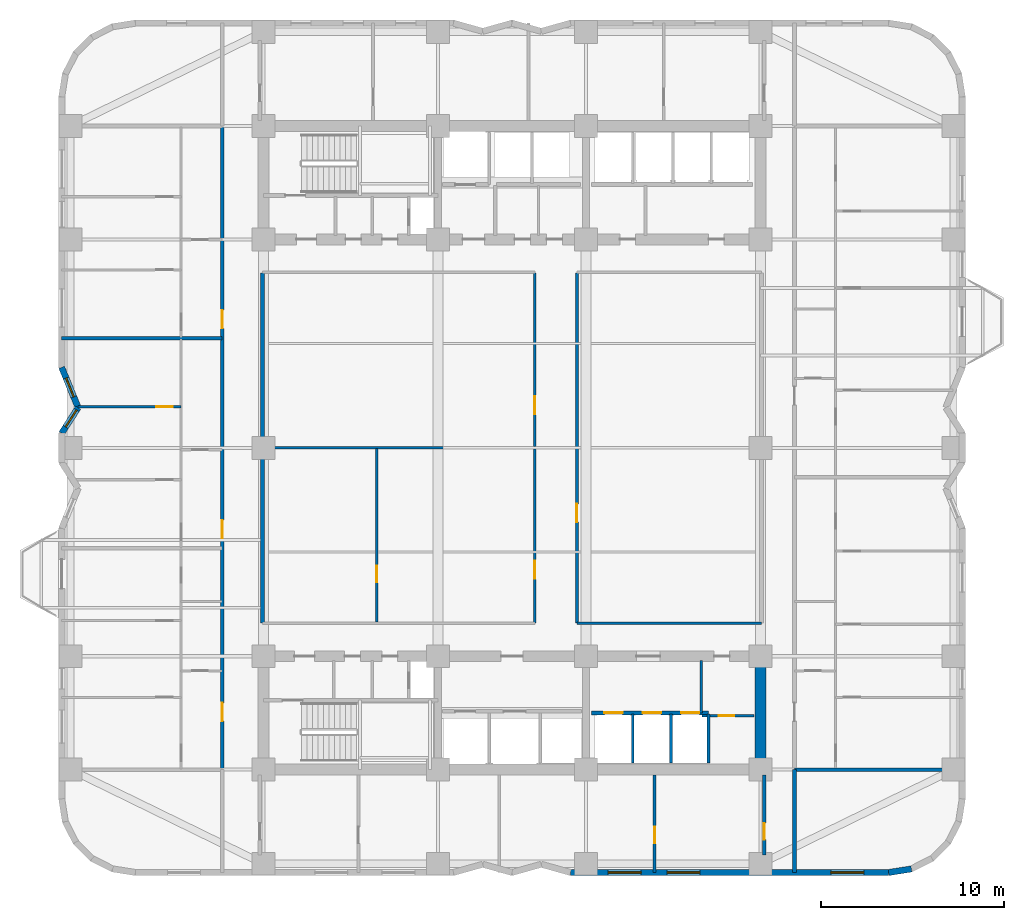
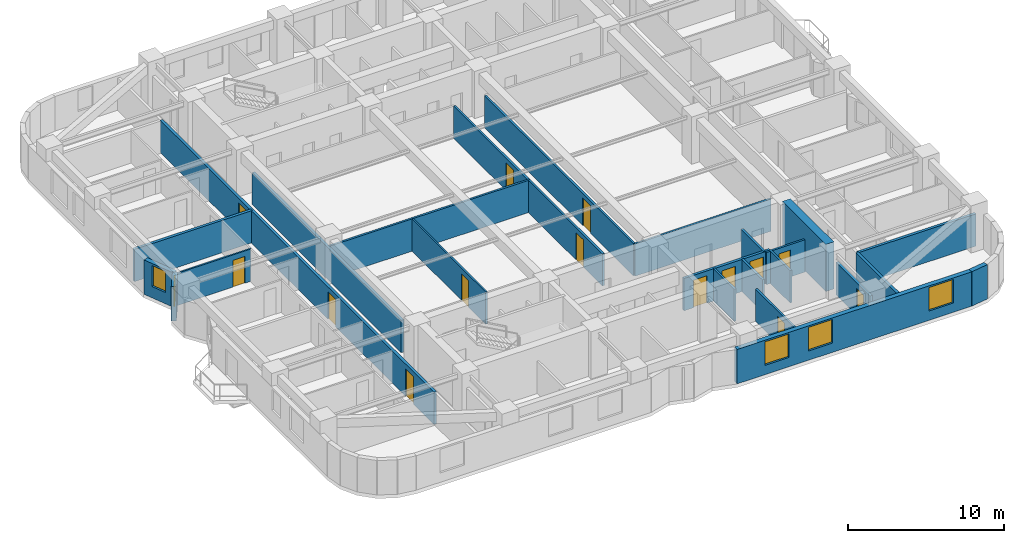
# One storey, part 4 of 10: 24 walls, 14 doors, 5 windows, 19 openings.
"""IFC4 building model written with IfcOpenShell, lengths in metres."""

from ifc_helpers import new_model, si_unit, direction, frame, frame_2d, origin, place, context, subcontext, project, spatial, rectangle, extrude, material, layer, layer_set, type_object, element, fill, save


model = new_model("IFC4")

# Units and contexts
model_context = context("Model", 3, precision=1e-05, world=origin(), true_north=direction((0.0, 1.0)))
body_context = subcontext(model_context, "Body", "Model", "MODEL_VIEW")
ifc_project = project(units=[si_unit("LENGTHUNIT", "METRE"), si_unit("AREAUNIT", "SQUARE_METRE"), si_unit("VOLUMEUNIT", "CUBIC_METRE"), si_unit("PLANEANGLEUNIT", "RADIAN"), si_unit("MASSUNIT", "GRAM", prefix="KILO")], contexts=[model_context])

# Site, building, storey
site_placement = place(None, origin())
site = spatial("IfcSite", under=ifc_project, at=site_placement, CompositionType="ELEMENT")
building_placement = place(site_placement, origin())
building = spatial("IfcBuilding", under=site, at=building_placement, Name="Svetorya Sky Lyceum", CompositionType="ELEMENT")
storey_placement = place(building_placement, frame((0.0, 0.0, 43.60009765625)))
storey = spatial("IfcBuildingStorey", under=building, at=storey_placement, Name="L10", CompositionType="ELEMENT", Elevation=43.60009765625)

# Wall
ifc_material_1 = material(Name="Concrete C60/75", Category="concrete")
ifc_layer_1 = layer(ifc_material_1, 0.60009765625)
ifc_layer_set_1 = layer_set([ifc_layer_1], Name="Concrete C60/75")
wall_type_1 = type_object("IfcWallType", Name="WL-CORE-600", PredefinedType="SHEAR", material=ifc_layer_set_1)
wall_1_placement = place(storey_placement, frame((52.800048828125, 10.89990234375, 0.0), z_axis=(0.0, 0.0, 1.0), x_axis=(0.0, 1.0, 0.0)))
element("IfcWall", 1, at=wall_1_placement, inside=storey, type_object=wall_type_1, Name="L10 SC East Core Shear Wall", PredefinedType="SHEAR", context=body_context, shape_type="SweptSolid", body=[
    extrude(rectangle(XDim=5.60009765625, YDim=0.60009765625, at=frame_2d((2.800048828125, 0.0))), origin(), (0.0, 0.0, 1.0), 3.699951171875),
])

# Wall, openings, windows
ifc_material_2 = material(Name="Putilovo limestone rainscreen on autoclaved cellular masonry", Category="masonry")
ifc_layer_2 = layer(ifc_material_2, 0.340087890625)
ifc_layer_set_2 = layer_set([ifc_layer_2], Name="Putilovo limestone rainscreen on autoclaved cellular masonry")
wall_type_2 = type_object("IfcWallType", Name="WL-EXT-340", PredefinedType="SOLIDWALL", material=ifc_layer_set_2)
wall_2_placement = place(storey_placement, frame((42.39990234375, 4.969970703125, 0.0), z_axis=(0.0, 0.0, 1.0), x_axis=(1.0, 0.0, 0.0)))
wall_2 = element("IfcWall", 2, at=wall_2_placement, inside=storey, type_object=wall_type_2, Name="L10 Limestone Exterior Wall 11M", PredefinedType="SOLIDWALL", context=body_context, shape_type="SweptSolid", body=[
    extrude(rectangle(XDim=17.400146484375, YDim=0.340087890625, at=frame_2d((8.7001953125, 0.0))), origin(), (0.0, 0.0, 1.0), 2.699951171875),
])
opening_1_placement = place(wall_2_placement, frame((2.06005859375, 0.0, 0.72998046875)))
opening_1 = element("IfcOpeningElement", 3, at=opening_1_placement, cuts=wall_2, Name="Opening W-R1", PredefinedType="OPENING", context=body_context, shape_type="SweptSolid", body=[
    extrude(rectangle(XDim=1.800048828125, YDim=1.85009765625, at=frame_2d((0.89990234375, 0.925048828125))), frame((0.0, 0.179931640625, 0.0), z_axis=(0.0, -1.0, 0.0), x_axis=(1.0, 0.0, 0.0)), (0.0, 0.0, 1.0), 0.360107421875),
])
opening_2_placement = place(wall_2_placement, frame((5.280029296875, 0.0, 0.72998046875)))
opening_2 = element("IfcOpeningElement", 4, at=opening_2_placement, cuts=wall_2, Name="Opening W-R1", PredefinedType="OPENING", context=body_context, shape_type="SweptSolid", body=[
    extrude(rectangle(XDim=1.800048828125, YDim=1.85009765625, at=frame_2d((0.89990234375, 0.925048828125))), frame((0.0, 0.179931640625, 0.0), z_axis=(0.0, -1.0, 0.0), x_axis=(1.0, 0.0, 0.0)), (0.0, 0.0, 1.0), 0.360107421875),
])
opening_3_placement = place(wall_2_placement, frame((14.239990234375, 0.0, 0.72998046875)))
opening_3 = element("IfcOpeningElement", 5, at=opening_3_placement, cuts=wall_2, Name="Opening W-R1", PredefinedType="OPENING", context=body_context, shape_type="SweptSolid", body=[
    extrude(rectangle(XDim=1.800048828125, YDim=1.85009765625, at=frame_2d((0.89990234375, 0.925048828125))), frame((0.0, 0.179931640625, 0.0), z_axis=(0.0, -1.0, 0.0), x_axis=(1.0, 0.0, 0.0)), (0.0, 0.0, 1.0), 0.360107421875),
])
ifc_material_3 = material(Name="Thermally broken aluminium frame with triple low-E glazing", Category="aluminium")
window_type_1 = type_object("IfcWindowType", Name="WN-RES-180", PartitioningType="DOUBLE_PANEL_VERTICAL", PredefinedType="WINDOW", material=ifc_material_3)
window_1_placement = place(opening_1_placement, origin())
window_1 = element("IfcWindow", 6, at=window_1_placement, inside=storey, type_object=window_type_1, Name="L10 Facade Window W-R1.11M.1", OverallHeight=1.85009765625, OverallWidth=1.800048828125, PartitioningType="SINGLE_PANEL", PredefinedType="WINDOW", context=body_context, shape_type="SweptSolid", body=[
    extrude(rectangle(XDim=1.800048828125, YDim=1.85009765625, at=frame_2d((0.89990234375, 0.925048828125))), frame((0.0, 0.030029296875, 0.0), z_axis=(0.0, -1.0, 0.0), x_axis=(1.0, 0.0, 0.0)), (0.0, 0.0, 1.0), 0.06005859375),
])
fill(opening_1, window_1)
window_2_placement = place(opening_2_placement, origin())
window_2 = element("IfcWindow", 7, at=window_2_placement, inside=storey, type_object=window_type_1, Name="L10 Facade Window W-R1.11M.2", OverallHeight=1.85009765625, OverallWidth=1.800048828125, PartitioningType="SINGLE_PANEL", PredefinedType="WINDOW", context=body_context, shape_type="SweptSolid", body=[
    extrude(rectangle(XDim=1.800048828125, YDim=1.85009765625, at=frame_2d((0.89990234375, 0.925048828125))), frame((0.0, 0.030029296875, 0.0), z_axis=(0.0, -1.0, 0.0), x_axis=(1.0, 0.0, 0.0)), (0.0, 0.0, 1.0), 0.06005859375),
])
fill(opening_2, window_2)
window_3_placement = place(opening_3_placement, origin())
window_3 = element("IfcWindow", 8, at=window_3_placement, inside=storey, type_object=window_type_1, Name="L10 Facade Window W-R1.11M.3", OverallHeight=1.85009765625, OverallWidth=1.800048828125, PartitioningType="SINGLE_PANEL", PredefinedType="WINDOW", context=body_context, shape_type="SweptSolid", body=[
    extrude(rectangle(XDim=1.800048828125, YDim=1.85009765625, at=frame_2d((0.89990234375, 0.925048828125))), frame((0.0, 0.030029296875, 0.0), z_axis=(0.0, -1.0, 0.0), x_axis=(1.0, 0.0, 0.0)), (0.0, 0.0, 1.0), 0.06005859375),
])
fill(opening_3, window_3)

# Wall
wall_3_placement = place(storey_placement, frame((59.800048828125, 4.969970703125, 0.0), z_axis=(0.0, 0.0, 1.0), x_axis=(0.987685918112, 0.15644975923, 0.0)))
element("IfcWall", 9, at=wall_3_placement, inside=storey, type_object=wall_type_2, Name="L10 Limestone Exterior Wall 12M", PredefinedType="SOLIDWALL", context=body_context, shape_type="SweptSolid", body=[
    extrude(rectangle(XDim=1.260986328125, YDim=0.340087890625, at=frame_2d((0.63037109375, 0.0))), origin(), (0.0, 0.0, 1.0), 2.699951171875),
])

# Wall, opening, window
wall_4_placement = place(storey_placement, frame((14.570068359375, 32.60009765625, 0.0), z_axis=(0.0, 0.0, 1.0), x_axis=(0.378568858991, -0.925573130013, 0.0)))
wall_4 = element("IfcWall", 10, at=wall_4_placement, inside=storey, type_object=wall_type_2, Name="L10 Limestone Exterior Wall 41M", PredefinedType="SOLIDWALL", context=body_context, shape_type="SweptSolid", body=[
    extrude(rectangle(XDim=2.377197265625, YDim=0.340087890625, at=frame_2d((1.1884765625, 0.0))), origin(), (0.0, 0.0, 1.0), 2.699951171875),
])
opening_4_placement = place(wall_4_placement, frame((0.638427734375, 0.0, 0.889892578125)))
opening_4 = element("IfcOpeningElement", 11, at=opening_4_placement, cuts=wall_4, Name="Opening W-R3", PredefinedType="OPENING", context=body_context, shape_type="SweptSolid", body=[
    extrude(rectangle(XDim=1.10009765625, YDim=1.64990234375, at=frame_2d((0.550048828125, 0.824951171875))), frame((0.0, 0.179931640625, 0.0), z_axis=(0.0, -1.0, 0.0), x_axis=(1.0, 0.0, 0.0)), (0.0, 0.0, 1.0), 0.360107421875),
])
window_type_2 = type_object("IfcWindowType", Name="WN-RES-110", PartitioningType="SINGLE_PANEL", PredefinedType="WINDOW", material=ifc_material_3)
window_4_placement = place(opening_4_placement, origin())
window_4 = element("IfcWindow", 12, at=window_4_placement, inside=storey, type_object=window_type_2, Name="L10 Facade Window W-R3.41M.1", OverallHeight=1.64990234375, OverallWidth=1.10009765625, PartitioningType="SINGLE_PANEL", PredefinedType="WINDOW", context=body_context, shape_type="SweptSolid", body=[
    extrude(rectangle(XDim=1.10009765625, YDim=1.64990234375, at=frame_2d((0.550048828125, 0.824951171875))), frame((0.0, 0.030029296875, 0.0), z_axis=(0.0, -1.0, 0.0), x_axis=(1.0, 0.0, 0.0)), (0.0, 0.0, 1.0), 0.06005859375),
])
fill(opening_4, window_4)

wall_5_placement = place(storey_placement, frame((15.469970703125, 30.39990234375, 0.0), z_axis=(0.0, 0.0, 1.0), x_axis=(-0.540742762169, -0.841188008214, 0.0)))
wall_5 = element("IfcWall", 13, at=wall_5_placement, inside=storey, type_object=wall_type_2, Name="L10 Limestone Exterior Wall 42M", PredefinedType="SOLIDWALL", context=body_context, shape_type="SweptSolid", body=[
    extrude(rectangle(XDim=1.664306640625, YDim=0.340087890625, at=frame_2d((0.83203125, 0.0))), origin(), (0.0, 0.0, 1.0), 2.699951171875),
])
opening_5_placement = place(wall_5_placement, frame((0.159912109375, 0.0, 0.889892578125)))
opening_5 = element("IfcOpeningElement", 14, at=opening_5_placement, cuts=wall_5, Name="Opening W-R3", PredefinedType="OPENING", context=body_context, shape_type="SweptSolid", body=[
    extrude(rectangle(XDim=1.10009765625, YDim=1.64990234375, at=frame_2d((0.550048828125, 0.824951171875))), frame((0.0, 0.179931640625, 0.0), z_axis=(0.0, -1.0, 0.0), x_axis=(1.0, 0.0, 0.0)), (0.0, 0.0, 1.0), 0.360107421875),
])
window_5_placement = place(opening_5_placement, origin())
window_5 = element("IfcWindow", 15, at=window_5_placement, inside=storey, type_object=window_type_2, Name="L10 Facade Window W-R3.42M.1", OverallHeight=1.64990234375, OverallWidth=1.10009765625, PartitioningType="SINGLE_PANEL", PredefinedType="WINDOW", context=body_context, shape_type="SweptSolid", body=[
    extrude(rectangle(XDim=1.10009765625, YDim=1.64990234375, at=frame_2d((0.550048828125, 0.824951171875))), frame((0.0, 0.030029296875, 0.0), z_axis=(0.0, -1.0, 0.0), x_axis=(1.0, 0.0, 0.0)), (0.0, 0.0, 1.0), 0.06005859375),
])
fill(opening_5, window_5)

# Wall, opening, door
ifc_material_4 = material(Name="Twin-stud galvanized framing with double fireboard", Category="gypsum")
ifc_layer_3 = layer(ifc_material_4, 0.1201171875)
ifc_layer_set_3 = layer_set([ifc_layer_3], Name="Twin-stud galvanized framing with double fireboard")
wall_type_3 = type_object("IfcWallType", Name="WL-PART-120", PredefinedType="PARTITIONING", material=ifc_layer_set_3)
wall_6_placement = place(storey_placement, frame((31.800048828125, 18.659912109375, 0.0), z_axis=(0.0, 0.0, 1.0), x_axis=(0.0, 1.0, 0.0)))
wall_6 = element("IfcWall", 16, at=wall_6_placement, inside=storey, type_object=wall_type_3, Name="L10 Interior Partition CEN-WV1", PredefinedType="PARTITIONING", context=body_context, shape_type="SweptSolid", body=[
    extrude(rectangle(XDim=9.489990234375, YDim=0.1201171875, at=frame_2d((4.7451171875, 0.0))), origin(), (0.0, 0.0, 1.0), 2.52978515625),
])
opening_6_placement = place(wall_6_placement, frame((2.199951171875, 0.0, 0.0)))
opening_6 = element("IfcOpeningElement", 17, at=opening_6_placement, cuts=wall_6, Name="Opening D-RM1", PredefinedType="OPENING", context=body_context, shape_type="SweptSolid", body=[
    extrude(rectangle(XDim=0.89990234375, YDim=2.10009765625, at=frame_2d((0.449951171875, 1.050048828125))), frame((0.0, 0.070068359375, 0.0), z_axis=(0.0, -1.0, 0.0), x_axis=(1.0, 0.0, 0.0)), (0.0, 0.0, 1.0), 0.14013671875),
])
ifc_material_5 = material(Name="Lacquered birch veneer internal door")
door_type_1 = type_object("IfcDoorType", Name="DR-INT-900", OperationType="SINGLE_SWING_LEFT", PredefinedType="DOOR", material=ifc_material_5)
door_1_placement = place(opening_6_placement, origin())
door_1 = element("IfcDoor", 18, at=door_1_placement, inside=storey, type_object=door_type_1, Name="L10 Quiet Study Door", OperationType="SINGLE_SWING_LEFT", OverallHeight=2.10009765625, OverallWidth=0.89990234375, PredefinedType="DOOR", context=body_context, shape_type="SweptSolid", body=[
    extrude(rectangle(XDim=0.89990234375, YDim=2.10009765625, at=frame_2d((0.449951171875, 1.050048828125))), frame((0.0, 0.02490234375, 0.0), z_axis=(0.0, -1.0, 0.0), x_axis=(1.0, 0.0, 0.0)), (0.0, 0.0, 1.0), 0.050048828125),
])
fill(opening_6, door_1)

wall_7_placement = place(storey_placement, frame((15.449462890625, 30.449951171875, 0.0), z_axis=(0.0, 0.0, 1.0), x_axis=(1.0, 0.0, 0.0)))
wall_7 = element("IfcWall", 19, at=wall_7_placement, inside=storey, type_object=wall_type_3, Name="L10 Interior Partition W2-WL2", PredefinedType="PARTITIONING", context=body_context, shape_type="SweptSolid", body=[
    extrude(rectangle(XDim=5.650634765625, YDim=0.1201171875, at=frame_2d((2.8251953125, 0.0))), origin(), (0.0, 0.0, 1.0), 2.52978515625),
])
opening_7_placement = place(wall_7_placement, frame((4.300537109375, 0.0, 0.0)))
opening_7 = element("IfcOpeningElement", 20, at=opening_7_placement, cuts=wall_7, Name="Opening D-RM1", PredefinedType="OPENING", context=body_context, shape_type="SweptSolid", body=[
    extrude(rectangle(XDim=0.89990234375, YDim=2.10009765625, at=frame_2d((0.449951171875, 1.050048828125))), frame((0.0, 0.070068359375, 0.0), z_axis=(0.0, -1.0, 0.0), x_axis=(1.0, 0.0, 0.0)), (0.0, 0.0, 1.0), 0.14013671875),
])
door_2_placement = place(opening_7_placement, origin())
door_2 = element("IfcDoor", 21, at=door_2_placement, inside=storey, type_object=door_type_1, Name="Apartment W2 Bedroom 2 Door", OperationType="SINGLE_SWING_LEFT", OverallHeight=2.10009765625, OverallWidth=0.89990234375, PredefinedType="DOOR", context=body_context, shape_type="SweptSolid", body=[
    extrude(rectangle(XDim=0.89990234375, YDim=2.10009765625, at=frame_2d((0.449951171875, 1.050048828125))), frame((0.0, 0.02490234375, 0.0), z_axis=(0.0, -1.0, 0.0), x_axis=(1.0, 0.0, 0.0)), (0.0, 0.0, 1.0), 0.050048828125),
])
fill(opening_7, door_2)

# Walls
ifc_material_6 = material(Name="Autoclaved cellular masonry blockwork with acoustic render", Category="masonry")
ifc_layer_4 = layer(ifc_material_6, 0.14990234375)
ifc_layer_set_4 = layer_set([ifc_layer_4], Name="Autoclaved cellular masonry blockwork with acoustic render")
wall_type_4 = type_object("IfcWallType", Name="WL-PART-150", PredefinedType="PARTITIONING", material=ifc_layer_set_4)
for number, where, z_axis, x_axis, name in (
    (22, (45.800048828125, 10.949951171875, 0.0), (0.0, 0.0, 1.0), (0.0, 1.0, 0.0), "L10 Interior Partition SC-PL-DIV1"),
    (23, (47.89990234375, 10.949951171875, 0.0), (0.0, 0.0, 1.0), (0.0, 1.0, 0.0), "L10 Interior Partition SC-PL-DIV2"),
    (24, (49.949951171875, 10.949951171875, 0.0), (0.0, 0.0, 1.0), (0.0, 1.0, 0.0), "L10 Interior Partition SC-PL-END"),
):
    element("IfcWall", number, at=place(storey_placement, frame(where, z_axis=z_axis, x_axis=x_axis)), inside=storey, type_object=wall_type_4, Name=name, PredefinedType="PARTITIONING", context=body_context, shape_type="SweptSolid", body=[
        extrude(rectangle(XDim=2.699951171875, YDim=0.14990234375, at=frame_2d((1.35009765625, 0.0))), origin(), (0.0, 0.0, 1.0), 2.52978515625),
    ])
wall_8_placement = place(storey_placement, frame((49.550048828125, 13.699951171875, 0.0), z_axis=(0.0, 0.0, 1.0), x_axis=(0.0, 1.0, 0.0)))
element("IfcWall", 25, at=wall_8_placement, inside=storey, type_object=wall_type_4, Name="L10 Interior Partition SC-AUX-V", PredefinedType="PARTITIONING", context=body_context, shape_type="SweptSolid", body=[
    extrude(rectangle(XDim=2.880126953125, YDim=0.14990234375, at=frame_2d((1.43994140625, 0.0))), origin(), (0.0, 0.0, 1.0), 2.52978515625),
])

# Wall, opening, door
wall_9_placement = place(storey_placement, frame((49.60009765625, 13.550048828125, 0.0), z_axis=(0.0, 0.0, 1.0), x_axis=(1.0, 0.0, 0.0)))
wall_9 = element("IfcWall", 26, at=wall_9_placement, inside=storey, type_object=wall_type_4, Name="L10 Interior Partition SC-AUX-H", PredefinedType="PARTITIONING", context=body_context, shape_type="SweptSolid", body=[
    extrude(rectangle(XDim=2.849853515625, YDim=0.14990234375, at=frame_2d((1.4248046875, 0.0))), origin(), (0.0, 0.0, 1.0), 2.52978515625),
])
opening_8_placement = place(wall_9_placement, frame((0.89990234375, 0.0, 0.0)))
opening_8 = element("IfcOpeningElement", 27, at=opening_8_placement, cuts=wall_9, Name="Opening D-CWC1", PredefinedType="OPENING", context=body_context, shape_type="SweptSolid", body=[
    extrude(rectangle(XDim=0.85009765625, YDim=2.10009765625, at=frame_2d((0.425048828125, 1.050048828125))), frame((0.0, 0.0849609375, 0.0), z_axis=(0.0, -1.0, 0.0), x_axis=(1.0, 0.0, 0.0)), (0.0, 0.0, 1.0), 0.169921875),
])
ifc_material_7 = material(Name="Fire-rated galvanized steel core service closet door", Category="steel")
door_type_2 = type_object("IfcDoorType", Name="DR-CWET-850", OperationType="SINGLE_SWING_LEFT", PredefinedType="DOOR", material=ifc_material_7)
door_3_placement = place(opening_8_placement, origin())
door_3 = element("IfcDoor", 28, at=door_3_placement, inside=storey, type_object=door_type_2, Name="L10 South Electrical Closet Door", OperationType="SINGLE_SWING_LEFT", OverallHeight=2.10009765625, OverallWidth=0.85009765625, PredefinedType="DOOR", context=body_context, shape_type="SweptSolid", body=[
    extrude(rectangle(XDim=0.85009765625, YDim=2.10009765625, at=frame_2d((0.425048828125, 1.050048828125))), frame((0.0, 0.02490234375, 0.0), z_axis=(0.0, -1.0, 0.0), x_axis=(1.0, 0.0, 0.0)), (0.0, 0.0, 1.0), 0.050048828125),
])
fill(opening_8, door_3)

# Walls
wall_10_placement = place(storey_placement, frame((42.75, 18.60009765625, 0.0), z_axis=(0.0, 0.0, 1.0), x_axis=(1.0, 0.0, 0.0)))
element("IfcWall", 29, at=wall_10_placement, inside=storey, type_object=wall_type_4, Name="L10 Interior Partition CS-MID-E", PredefinedType="PARTITIONING", context=body_context, shape_type="SweptSolid", body=[
    extrude(rectangle(XDim=10.10009765625, YDim=0.14990234375, at=frame_2d((5.050048828125, 0.0))), origin(), (0.0, 0.0, 1.0), 2.52978515625),
])
wall_11_placement = place(storey_placement, frame((25.60009765625, 28.199951171875, 0.0), z_axis=(0.0, 0.0, 1.0), x_axis=(1.0, 0.0, 0.0)))
element("IfcWall", 30, at=wall_11_placement, inside=storey, type_object=wall_type_4, Name="L10 Interior Partition CEN-HW", PredefinedType="PARTITIONING", context=body_context, shape_type="SweptSolid", body=[
    extrude(rectangle(XDim=14.869873046875, YDim=0.14990234375, at=frame_2d((7.43505859375, 0.0))), origin(), (0.0, 0.0, 1.0), 2.52978515625),
])

# Wall, openings, doors
wall_12_placement = place(storey_placement, frame((40.449951171875, 18.6298828125, 0.0), z_axis=(0.0, 0.0, 1.0), x_axis=(0.0, 1.0, 0.0)))
wall_12 = element("IfcWall", 31, at=wall_12_placement, inside=storey, type_object=wall_type_4, Name="L10 Interior Partition CEN-VW", PredefinedType="PARTITIONING", context=body_context, shape_type="SweptSolid", body=[
    extrude(rectangle(XDim=19.14013671875, YDim=0.14990234375, at=frame_2d((9.570068359375, 0.0))), origin(), (0.0, 0.0, 1.0), 2.52978515625),
])
opening_9_placement = place(wall_12_placement, frame((2.39990234375, 0.0, 0.0)))
opening_9 = element("IfcOpeningElement", 32, at=opening_9_placement, cuts=wall_12, Name="Opening D-RM2", PredefinedType="OPENING", context=body_context, shape_type="SweptSolid", body=[
    extrude(rectangle(XDim=1.0, YDim=2.14990234375, at=frame_2d((0.5, 1.074951171875))), frame((0.0, 0.0849609375, 0.0), z_axis=(0.0, -1.0, 0.0), x_axis=(1.0, 0.0, 0.0)), (0.0, 0.0, 1.0), 0.169921875),
])
opening_10_placement = place(wall_12_placement, frame((11.39990234375, 0.0, 0.0)))
opening_10 = element("IfcOpeningElement", 33, at=opening_10_placement, cuts=wall_12, Name="Opening D-RM2", PredefinedType="OPENING", context=body_context, shape_type="SweptSolid", body=[
    extrude(rectangle(XDim=1.0, YDim=2.14990234375, at=frame_2d((0.5, 1.074951171875))), frame((0.0, 0.0849609375, 0.0), z_axis=(0.0, -1.0, 0.0), x_axis=(1.0, 0.0, 0.0)), (0.0, 0.0, 1.0), 0.169921875),
])
ifc_material_8 = material(Name="Solid-core oak acoustic room door")
door_type_3 = type_object("IfcDoorType", Name="DR-INT-1000", OperationType="SINGLE_SWING_LEFT", PredefinedType="DOOR", material=ifc_material_8)
door_4_placement = place(opening_9_placement, origin())
door_4 = element("IfcDoor", 34, at=door_4_placement, inside=storey, type_object=door_type_3, Name="L10 Study Door", OperationType="SINGLE_SWING_LEFT", OverallHeight=2.14990234375, OverallWidth=1.0, PredefinedType="DOOR", context=body_context, shape_type="SweptSolid", body=[
    extrude(rectangle(XDim=1.0, YDim=2.14990234375, at=frame_2d((0.5, 1.074951171875))), frame((0.0, 0.02490234375, 0.0), z_axis=(0.0, -1.0, 0.0), x_axis=(1.0, 0.0, 0.0)), (0.0, 0.0, 1.0), 0.050048828125),
])
fill(opening_9, door_4)
door_5_placement = place(opening_10_placement, origin())
door_5 = element("IfcDoor", 35, at=door_5_placement, inside=storey, type_object=door_type_3, Name="L10 Focus Door", OperationType="SINGLE_SWING_RIGHT", OverallHeight=2.14990234375, OverallWidth=1.0, PredefinedType="DOOR", context=body_context, shape_type="SweptSolid", body=[
    extrude(rectangle(XDim=1.0, YDim=2.14990234375, at=frame_2d((0.5, 1.074951171875))), frame((0.0, 0.02490234375, 0.0), z_axis=(0.0, -1.0, 0.0), x_axis=(1.0, 0.0, 0.0)), (0.0, 0.0, 1.0), 0.050048828125),
])
fill(opening_10, door_5)

# Wall, opening, door
wall_13_placement = place(storey_placement, frame((42.75, 18.6298828125, 0.0), z_axis=(0.0, 0.0, 1.0), x_axis=(0.0, 1.0, 0.0)))
wall_13 = element("IfcWall", 36, at=wall_13_placement, inside=storey, type_object=wall_type_4, Name="L10 Interior Partition CEN-VE", PredefinedType="PARTITIONING", context=body_context, shape_type="SweptSolid", body=[
    extrude(rectangle(XDim=19.14013671875, YDim=0.14990234375, at=frame_2d((9.570068359375, 0.0))), origin(), (0.0, 0.0, 1.0), 2.52978515625),
])
opening_11_placement = place(wall_13_placement, frame((5.5, 0.0, 0.0)))
opening_11 = element("IfcOpeningElement", 37, at=opening_11_placement, cuts=wall_13, Name="Opening D-RM2", PredefinedType="OPENING", context=body_context, shape_type="SweptSolid", body=[
    extrude(rectangle(XDim=1.0, YDim=2.14990234375, at=frame_2d((0.5, 1.074951171875))), frame((0.0, 0.0849609375, 0.0), z_axis=(0.0, -1.0, 0.0), x_axis=(1.0, 0.0, 0.0)), (0.0, 0.0, 1.0), 0.169921875),
])
door_6_placement = place(opening_11_placement, origin())
door_6 = element("IfcDoor", 38, at=door_6_placement, inside=storey, type_object=door_type_3, Name="L10 East Hall Door", OperationType="SINGLE_SWING_RIGHT", OverallHeight=2.14990234375, OverallWidth=1.0, PredefinedType="DOOR", context=body_context, shape_type="SweptSolid", body=[
    extrude(rectangle(XDim=1.0, YDim=2.14990234375, at=frame_2d((0.5, 1.074951171875))), frame((0.0, 0.02490234375, 0.0), z_axis=(0.0, -1.0, 0.0), x_axis=(1.0, 0.0, 0.0)), (0.0, 0.0, 1.0), 0.050048828125),
])
fill(opening_11, door_6)

wall_14_placement = place(storey_placement, frame((47.0, 4.969970703125, 0.0), z_axis=(0.0, 0.0, 1.0), x_axis=(0.0, 1.0, 0.0)))
wall_14 = element("IfcWall", 39, at=wall_14_placement, inside=storey, type_object=wall_type_4, Name="L10 Interior Partition S4-D3", PredefinedType="PARTITIONING", context=body_context, shape_type="SweptSolid", body=[
    extrude(rectangle(XDim=5.330078125, YDim=0.14990234375, at=frame_2d((2.6650390625, 0.0))), origin(), (0.0, 0.0, 1.0), 2.52978515625),
])
opening_12_placement = place(wall_14_placement, frame((1.60009765625, 0.0, 0.0)))
opening_12 = element("IfcOpeningElement", 40, at=opening_12_placement, cuts=wall_14, Name="Opening D-RM1", PredefinedType="OPENING", context=body_context, shape_type="SweptSolid", body=[
    extrude(rectangle(XDim=0.89990234375, YDim=2.10009765625, at=frame_2d((0.449951171875, 1.050048828125))), frame((0.0, 0.0849609375, 0.0), z_axis=(0.0, -1.0, 0.0), x_axis=(1.0, 0.0, 0.0)), (0.0, 0.0, 1.0), 0.169921875),
])
door_7_placement = place(opening_12_placement, origin())
door_7 = element("IfcDoor", 41, at=door_7_placement, inside=storey, type_object=door_type_1, Name="L10 South Suite Door 3", OperationType="SINGLE_SWING_LEFT", OverallHeight=2.10009765625, OverallWidth=0.89990234375, PredefinedType="DOOR", context=body_context, shape_type="SweptSolid", body=[
    extrude(rectangle(XDim=0.89990234375, YDim=2.10009765625, at=frame_2d((0.449951171875, 1.050048828125))), frame((0.0, 0.02490234375, 0.0), z_axis=(0.0, -1.0, 0.0), x_axis=(1.0, 0.0, 0.0)), (0.0, 0.0, 1.0), 0.050048828125),
])
fill(opening_12, door_7)

# Wall, openings, doors
ifc_material_9 = material(Name="Autoclaved cellular masonry blockwork with gypsum plaster", Category="masonry")
ifc_layer_5 = layer(ifc_material_9, 0.199951171875)
ifc_layer_set_5 = layer_set([ifc_layer_5], Name="Autoclaved cellular masonry blockwork with gypsum plaster")
wall_type_5 = type_object("IfcWallType", Name="WL-PART-200", PredefinedType="PARTITIONING", material=ifc_layer_set_5)
wall_15_placement = place(storey_placement, frame((43.550048828125, 13.699951171875, 0.0), z_axis=(0.0, 0.0, 1.0), x_axis=(1.0, 0.0, 0.0)))
wall_15 = element("IfcWall", 42, at=wall_15_placement, inside=storey, type_object=wall_type_5, Name="L10 Interior Partition SC-PLW", PredefinedType="PARTITIONING", context=body_context, shape_type="SweptSolid", body=[
    extrude(rectangle(XDim=6.39990234375, YDim=0.199951171875, at=frame_2d((3.199951171875, 0.0))), origin(), (0.0, 0.0, 1.0), 2.52978515625),
])
opening_13_placement = place(wall_15_placement, frame((0.699951171875, 0.0, 0.0)))
opening_13 = element("IfcOpeningElement", 43, at=opening_13_placement, cuts=wall_15, Name="Opening LD-P1", PredefinedType="OPENING", context=body_context, shape_type="SweptSolid", body=[
    extrude(rectangle(XDim=1.0, YDim=2.14990234375, at=frame_2d((0.5, 1.074951171875))), frame((0.0, 0.10986328125, 0.0), z_axis=(0.0, -1.0, 0.0), x_axis=(1.0, 0.0, 0.0)), (0.0, 0.0, 1.0), 0.219970703125),
])
opening_14_placement = place(wall_15_placement, frame((2.800048828125, 0.0, 0.0)))
opening_14 = element("IfcOpeningElement", 44, at=opening_14_placement, cuts=wall_15, Name="Opening LD-P1", PredefinedType="OPENING", context=body_context, shape_type="SweptSolid", body=[
    extrude(rectangle(XDim=1.0, YDim=2.14990234375, at=frame_2d((0.5, 1.074951171875))), frame((0.0, 0.10986328125, 0.0), z_axis=(0.0, -1.0, 0.0), x_axis=(1.0, 0.0, 0.0)), (0.0, 0.0, 1.0), 0.219970703125),
])
opening_15_placement = place(wall_15_placement, frame((4.89990234375, 0.0, 0.0)))
opening_15 = element("IfcOpeningElement", 45, at=opening_15_placement, cuts=wall_15, Name="Opening LD-P1", PredefinedType="OPENING", context=body_context, shape_type="SweptSolid", body=[
    extrude(rectangle(XDim=1.0, YDim=2.14990234375, at=frame_2d((0.5, 1.074951171875))), frame((0.0, 0.10986328125, 0.0), z_axis=(0.0, -1.0, 0.0), x_axis=(1.0, 0.0, 0.0)), (0.0, 0.0, 1.0), 0.219970703125),
])
ifc_material_10 = material(Name="Champagne-anodized stainless passenger lift landing door")
door_type_4 = type_object("IfcDoorType", Name="DR-LIFT-1000", OperationType="SLIDING_TO_LEFT", PredefinedType="DOOR", material=ifc_material_10)
door_8_placement = place(opening_13_placement, origin())
door_8 = element("IfcDoor", 46, at=door_8_placement, inside=storey, type_object=door_type_4, Name="L10 Passenger Lift PL1 Landing Door", OperationType="SLIDING_TO_LEFT", OverallHeight=2.14990234375, OverallWidth=1.0, PredefinedType="DOOR", context=body_context, shape_type="SweptSolid", body=[
    extrude(rectangle(XDim=1.0, YDim=2.14990234375, at=frame_2d((0.5, 1.074951171875))), frame((0.0, 0.02490234375, 0.0), z_axis=(0.0, -1.0, 0.0), x_axis=(1.0, 0.0, 0.0)), (0.0, 0.0, 1.0), 0.050048828125),
])
fill(opening_13, door_8)
door_9_placement = place(opening_14_placement, origin())
door_9 = element("IfcDoor", 47, at=door_9_placement, inside=storey, type_object=door_type_4, Name="L10 Passenger Lift PL2 Landing Door", OperationType="SLIDING_TO_LEFT", OverallHeight=2.14990234375, OverallWidth=1.0, PredefinedType="DOOR", context=body_context, shape_type="SweptSolid", body=[
    extrude(rectangle(XDim=1.0, YDim=2.14990234375, at=frame_2d((0.5, 1.074951171875))), frame((0.0, 0.02490234375, 0.0), z_axis=(0.0, -1.0, 0.0), x_axis=(1.0, 0.0, 0.0)), (0.0, 0.0, 1.0), 0.050048828125),
])
fill(opening_14, door_9)
door_10_placement = place(opening_15_placement, origin())
door_10 = element("IfcDoor", 48, at=door_10_placement, inside=storey, type_object=door_type_4, Name="L10 Passenger Lift PL3 Landing Door", OperationType="SLIDING_TO_LEFT", OverallHeight=2.14990234375, OverallWidth=1.0, PredefinedType="DOOR", context=body_context, shape_type="SweptSolid", body=[
    extrude(rectangle(XDim=1.0, YDim=2.14990234375, at=frame_2d((0.5, 1.074951171875))), frame((0.0, 0.02490234375, 0.0), z_axis=(0.0, -1.0, 0.0), x_axis=(1.0, 0.0, 0.0)), (0.0, 0.0, 1.0), 0.050048828125),
])
fill(opening_15, door_10)

# Walls
wall_16_placement = place(storey_placement, frame((25.550048828125, 18.6298828125, 0.0), z_axis=(0.0, 0.0, 1.0), x_axis=(0.0, 1.0, 0.0)))
element("IfcWall", 49, at=wall_16_placement, inside=storey, type_object=wall_type_5, Name="L10 Interior Partition W-CEN-SEP", PredefinedType="PARTITIONING", context=body_context, shape_type="SweptSolid", body=[
    extrude(rectangle(XDim=19.14013671875, YDim=0.199951171875, at=frame_2d((9.570068359375, 0.0))), origin(), (0.0, 0.0, 1.0), 2.52978515625),
])
wall_17_placement = place(storey_placement, frame((14.570068359375, 34.18408203125, 0.0), z_axis=(0.0, 0.0, 1.0), x_axis=(1.0, 0.0, 0.0)))
element("IfcWall", 50, at=wall_17_placement, inside=storey, type_object=wall_type_5, Name="L10 Interior Partition W-PARTY-2", PredefinedType="PARTITIONING", context=body_context, shape_type="SweptSolid", body=[
    extrude(rectangle(XDim=8.780029296875, YDim=0.199951171875, at=frame_2d((4.39013671875, 0.0))), origin(), (0.0, 0.0, 1.0), 2.52978515625),
])

# Wall, openings, doors
wall_18_placement = place(storey_placement, frame((23.35009765625, 10.60009765625, 0.0), z_axis=(0.0, 0.0, 1.0), x_axis=(0.0, 1.0, 0.0)))
wall_18 = element("IfcWall", 51, at=wall_18_placement, inside=storey, type_object=wall_type_5, Name="L10 Interior Partition W-CORRW", PredefinedType="PARTITIONING", context=body_context, shape_type="SweptSolid", body=[
    extrude(rectangle(XDim=35.199951171875, YDim=0.199951171875, at=frame_2d((17.60009765625, 0.0))), origin(), (0.0, 0.0, 1.0), 2.52978515625),
])
opening_16_placement = place(wall_18_placement, frame((2.64990234375, 0.0, 0.0)))
opening_16 = element("IfcOpeningElement", 52, at=opening_16_placement, cuts=wall_18, Name="Opening D-APT1", PredefinedType="OPENING", context=body_context, shape_type="SweptSolid", body=[
    extrude(rectangle(XDim=1.0, YDim=2.14990234375, at=frame_2d((0.5, 1.074951171875))), frame((0.0, 0.10986328125, 0.0), z_axis=(0.0, -1.0, 0.0), x_axis=(1.0, 0.0, 0.0)), (0.0, 0.0, 1.0), 0.219970703125),
])
opening_17_placement = place(wall_18_placement, frame((12.64990234375, 0.0, 0.0)))
opening_17 = element("IfcOpeningElement", 53, at=opening_17_placement, cuts=wall_18, Name="Opening D-APT1", PredefinedType="OPENING", context=body_context, shape_type="SweptSolid", body=[
    extrude(rectangle(XDim=1.0, YDim=2.14990234375, at=frame_2d((0.5, 1.074951171875))), frame((0.0, 0.10986328125, 0.0), z_axis=(0.0, -1.0, 0.0), x_axis=(1.0, 0.0, 0.0)), (0.0, 0.0, 1.0), 0.219970703125),
])
opening_18_placement = place(wall_18_placement, frame((24.134033203125, 0.0, 0.0)))
opening_18 = element("IfcOpeningElement", 54, at=opening_18_placement, cuts=wall_18, Name="Opening D-APT1", PredefinedType="OPENING", context=body_context, shape_type="SweptSolid", body=[
    extrude(rectangle(XDim=1.0, YDim=2.14990234375, at=frame_2d((0.5, 1.074951171875))), frame((0.0, 0.10986328125, 0.0), z_axis=(0.0, -1.0, 0.0), x_axis=(1.0, 0.0, 0.0)), (0.0, 0.0, 1.0), 0.219970703125),
])
ifc_material_11 = material(Name="Insulated oak-veneered apartment entrance door")
door_type_5 = type_object("IfcDoorType", Name="DR-APT-1000", OperationType="SINGLE_SWING_LEFT", PredefinedType="DOOR", material=ifc_material_11)
door_11_placement = place(opening_16_placement, origin())
door_11 = element("IfcDoor", 55, at=door_11_placement, inside=storey, type_object=door_type_5, Name="L10 Apartment W1 Entrance Door", OperationType="SINGLE_SWING_LEFT", OverallHeight=2.14990234375, OverallWidth=1.0, PredefinedType="DOOR", context=body_context, shape_type="SweptSolid", body=[
    extrude(rectangle(XDim=1.0, YDim=2.14990234375, at=frame_2d((0.5, 1.074951171875))), frame((0.0, 0.02490234375, 0.0), z_axis=(0.0, -1.0, 0.0), x_axis=(1.0, 0.0, 0.0)), (0.0, 0.0, 1.0), 0.050048828125),
])
fill(opening_16, door_11)
door_12_placement = place(opening_17_placement, origin())
door_12 = element("IfcDoor", 56, at=door_12_placement, inside=storey, type_object=door_type_5, Name="L10 Apartment W2 Entrance Door", OperationType="SINGLE_SWING_RIGHT", OverallHeight=2.14990234375, OverallWidth=1.0, PredefinedType="DOOR", context=body_context, shape_type="SweptSolid", body=[
    extrude(rectangle(XDim=1.0, YDim=2.14990234375, at=frame_2d((0.5, 1.074951171875))), frame((0.0, 0.02490234375, 0.0), z_axis=(0.0, -1.0, 0.0), x_axis=(1.0, 0.0, 0.0)), (0.0, 0.0, 1.0), 0.050048828125),
])
fill(opening_17, door_12)
door_13_placement = place(opening_18_placement, origin())
door_13 = element("IfcDoor", 57, at=door_13_placement, inside=storey, type_object=door_type_5, Name="L10 Apartment W3 Entrance Door", OperationType="SINGLE_SWING_LEFT", OverallHeight=2.14990234375, OverallWidth=1.0, PredefinedType="DOOR", context=body_context, shape_type="SweptSolid", body=[
    extrude(rectangle(XDim=1.0, YDim=2.14990234375, at=frame_2d((0.5, 1.074951171875))), frame((0.0, 0.02490234375, 0.0), z_axis=(0.0, -1.0, 0.0), x_axis=(1.0, 0.0, 0.0)), (0.0, 0.0, 1.0), 0.050048828125),
])
fill(opening_18, door_13)

# Walls
wall_19_placement = place(storey_placement, frame((54.64990234375, 10.60009765625, 0.0), z_axis=(0.0, 0.0, 1.0), x_axis=(1.0, 0.0, 0.0)))
element("IfcWall", 58, at=wall_19_placement, inside=storey, type_object=wall_type_5, Name="L10 Interior Partition E-CAP-S", PredefinedType="PARTITIONING", context=body_context, shape_type="SweptSolid", body=[
    extrude(rectangle(XDim=8.760009765625, YDim=0.199951171875, at=frame_2d((4.3798828125, 0.0))), origin(), (0.0, 0.0, 1.0), 2.52978515625),
])
wall_20_placement = place(storey_placement, frame((54.64990234375, 4.969970703125, 0.0), z_axis=(0.0, 0.0, 1.0), x_axis=(0.0, 1.0, 0.0)))
element("IfcWall", 59, at=wall_20_placement, inside=storey, type_object=wall_type_5, Name="L10 Interior Partition EC-SE-END", PredefinedType="PARTITIONING", context=body_context, shape_type="SweptSolid", body=[
    extrude(rectangle(XDim=5.630126953125, YDim=0.199951171875, at=frame_2d((2.81494140625, 0.0))), origin(), (0.0, 0.0, 1.0), 2.52978515625),
])

# Wall, opening, door
wall_21_placement = place(storey_placement, frame((53.0, 5.919921875, 0.0), z_axis=(0.0, 0.0, 1.0), x_axis=(0.0, 1.0, 0.0)))
wall_21 = element("IfcWall", 60, at=wall_21_placement, inside=storey, type_object=wall_type_5, Name="L10 Interior Partition S4-EE", PredefinedType="PARTITIONING", context=body_context, shape_type="SweptSolid", body=[
    extrude(rectangle(XDim=4.380126953125, YDim=0.199951171875, at=frame_2d((2.18994140625, 0.0))), origin(), (0.0, 0.0, 1.0), 2.52978515625),
])
opening_19_placement = place(wall_21_placement, frame((0.85009765625, 0.0, 0.0)))
opening_19 = element("IfcOpeningElement", 61, at=opening_19_placement, cuts=wall_21, Name="Opening D-RM1", PredefinedType="OPENING", context=body_context, shape_type="SweptSolid", body=[
    extrude(rectangle(XDim=0.89990234375, YDim=2.10009765625, at=frame_2d((0.449951171875, 1.050048828125))), frame((0.0, 0.10986328125, 0.0), z_axis=(0.0, -1.0, 0.0), x_axis=(1.0, 0.0, 0.0)), (0.0, 0.0, 1.0), 0.219970703125),
])
door_14_placement = place(opening_19_placement, origin())
door_14 = element("IfcDoor", 62, at=door_14_placement, inside=storey, type_object=door_type_1, Name="L10 SE Meeting Door", OperationType="SINGLE_SWING_RIGHT", OverallHeight=2.10009765625, OverallWidth=0.89990234375, PredefinedType="DOOR", context=body_context, shape_type="SweptSolid", body=[
    extrude(rectangle(XDim=0.89990234375, YDim=2.10009765625, at=frame_2d((0.449951171875, 1.050048828125))), frame((0.0, 0.02490234375, 0.0), z_axis=(0.0, -1.0, 0.0), x_axis=(1.0, 0.0, 0.0)), (0.0, 0.0, 1.0), 0.050048828125),
])
fill(opening_19, door_14)

save(model, "model.ifc")
